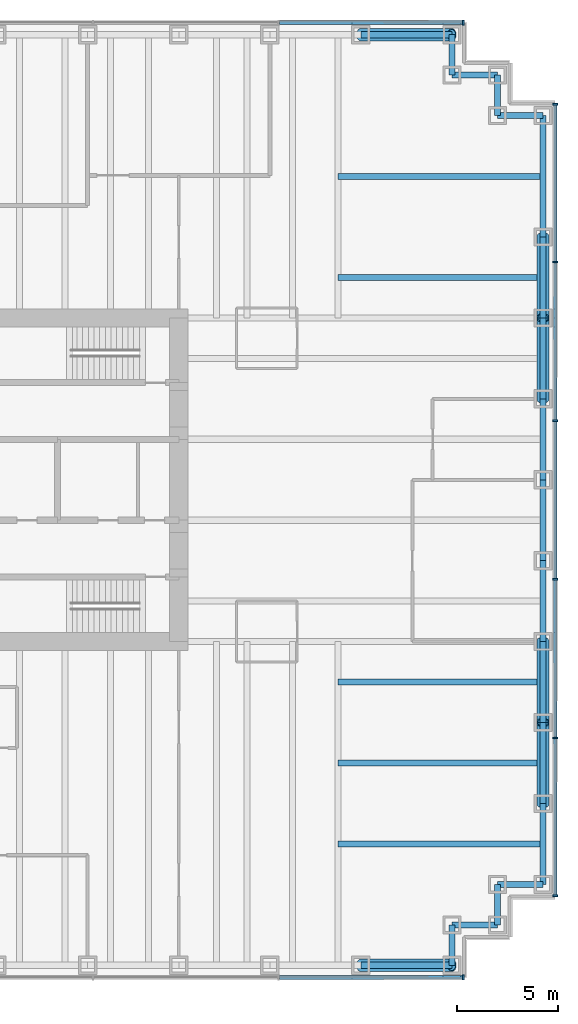
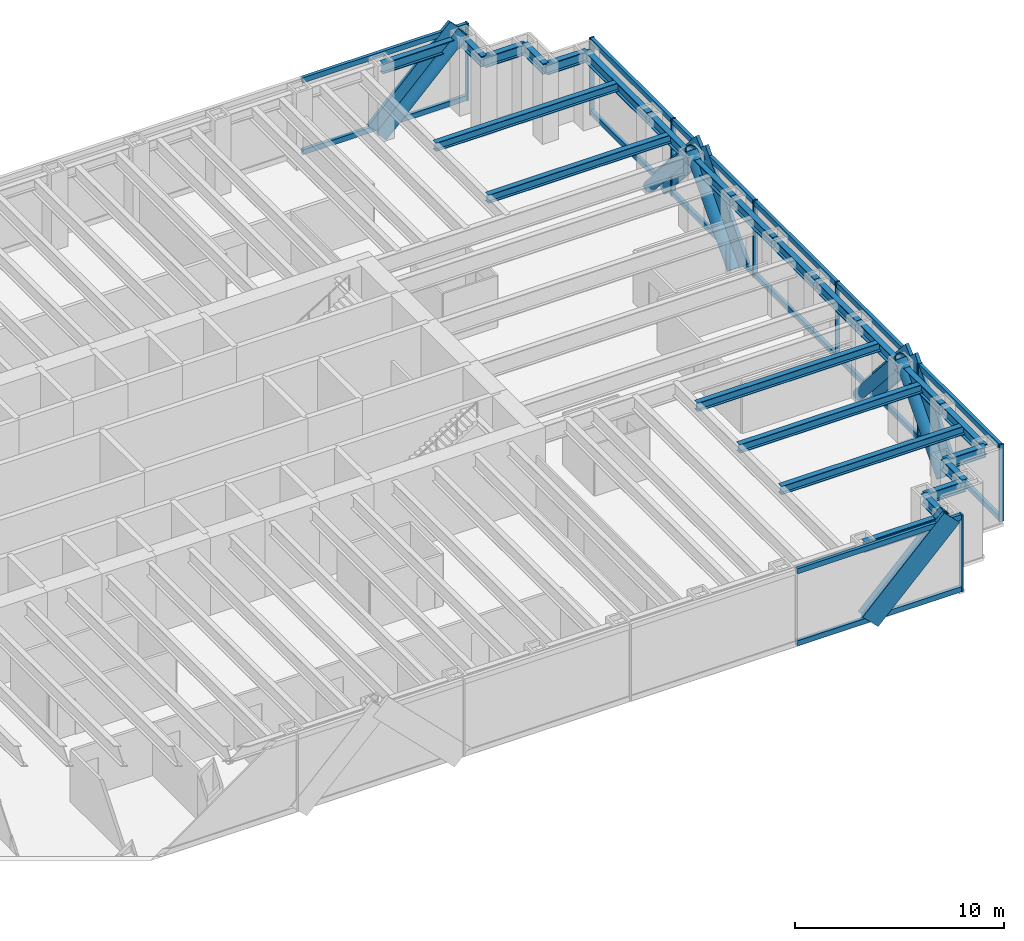
# One storey, part 7 of 13: 34 members, 24 beams, 3 elements without a shape of their own.
"""IFC4 building model written with IfcOpenShell, lengths in metres."""

from ifc_helpers import new_model, si_unit, direction, frame, origin, origin_2d, place, context, subcontext, project, spatial, rectangle, hollow_circle, i_section, extrude, material, material_profile, profile_set, type_object, element, aggregate, save


model = new_model("IFC4")

# Units and contexts
model_context = context("Model", 3, precision=1e-05, world=origin(), true_north=direction((0.0, 1.0)))
body_context = subcontext(model_context, "Body", "Model", "MODEL_VIEW")
ifc_project = project(units=[si_unit("LENGTHUNIT", "METRE"), si_unit("AREAUNIT", "SQUARE_METRE"), si_unit("VOLUMEUNIT", "CUBIC_METRE"), si_unit("PLANEANGLEUNIT", "RADIAN"), si_unit("MASSUNIT", "GRAM", prefix="KILO")], contexts=[model_context])

# Site, building, storey
site_placement = place(None, origin())
site = spatial("IfcSite", under=ifc_project, at=site_placement, CompositionType="ELEMENT")
building_placement = place(site_placement, origin())
building = spatial("IfcBuilding", under=site, at=building_placement, Name="Rheinbord Bourse Tower", CompositionType="ELEMENT")
storey_placement = place(building_placement, frame((0.0, 0.0, 27.5)))
storey = spatial("IfcBuildingStorey", under=building, at=storey_placement, Name="L05", CompositionType="ELEMENT", Elevation=27.5)

# Curtain wall, member
ifc_material_1 = material(Name="Dark glass and black aluminium", Category="aluminium")
curtain_wall_type = type_object("IfcCurtainWallType", Name="CW1 DARK GLASS CURTAIN WALL", PredefinedType="USERDEFINED", material=ifc_material_1)
curtain_wall_1_placement = place(storey_placement, origin())
curtain_wall_1 = element("IfcCurtainWall", 1, at=curtain_wall_1_placement, inside=storey, type_object=curtain_wall_type, Name="Curtain wall CW1 S L05", ObjectType="UNITISED CURTAIN WALL", PredefinedType="USERDEFINED")
ifc_material_2 = material(Name="Black anodised aluminium", Category="aluminium")
ifc_material_profile_1 = material_profile(ifc_material_2, rectangle(XDim=0.179931640625, YDim=1.2099609375, at=origin_2d()), Name="CW1 DIAGONAL MULLION 1210x180")
ifc_profile_set_1 = profile_set([ifc_material_profile_1], Name="Black anodised aluminium")
member_type_1 = type_object("IfcMemberType", Name="CW1 BLACK DIAGONAL MULLION", PredefinedType="USERDEFINED", material=ifc_profile_set_1)
member_1_placement = place(storey_placement, frame((63.0, -0.60009765625, 0.0), z_axis=(0.707106781187, 0.0, 0.707106781187), x_axis=(0.0, 1.0, 0.0)))
member_1 = element("IfcMember", 2, at=member_1_placement, type_object=member_type_1, Name="CW1 diagonal mullion c", ObjectType="DIAGONAL MULLION", PredefinedType="USERDEFINED", context=body_context, shape_type="SweptSolid", body=[
    extrude(rectangle(XDim=0.179931640625, YDim=1.2099609375, at=origin_2d()), origin(), (0.0, 0.0, 1.0), 6.364013671875),
])

# Curtain wall, members
curtain_wall_2_placement = place(storey_placement, origin())
curtain_wall_2 = element("IfcCurtainWall", 3, at=curtain_wall_2_placement, inside=storey, type_object=curtain_wall_type, Name="Curtain wall CW1 E L05", ObjectType="UNITISED CURTAIN WALL", PredefinedType="USERDEFINED")
member_2_placement = place(storey_placement, frame((72.60009765625, 28.0, 0.0), z_axis=(0.0, 0.66436383883, 0.747409318684), x_axis=(-1.0, 0.0, 0.0)))
member_2 = element("IfcMember", 4, at=member_2_placement, type_object=member_type_1, Name="CW1 diagonal mullion a", ObjectType="DIAGONAL MULLION", PredefinedType="USERDEFINED", context=body_context, shape_type="SweptSolid", body=[
    extrude(rectangle(XDim=0.179931640625, YDim=1.2099609375, at=origin_2d()), origin(), (0.0, 0.0, 1.0), 6.020751953125),
])
member_3_placement = place(storey_placement, frame((72.60009765625, 16.0, 0.0), z_axis=(0.0, -0.66436383883, 0.747409318684), x_axis=(1.0, 0.0, 0.0)))
member_3 = element("IfcMember", 5, at=member_3_placement, type_object=member_type_1, Name="CW1 diagonal mullion b", ObjectType="DIAGONAL MULLION", PredefinedType="USERDEFINED", context=body_context, shape_type="SweptSolid", body=[
    extrude(rectangle(XDim=0.179931640625, YDim=1.2099609375, at=origin_2d()), origin(), (0.0, 0.0, 1.0), 6.020751953125),
])
member_4_placement = place(storey_placement, frame((72.60009765625, 36.0, 0.0), z_axis=(0.0, -0.66436383883, 0.747409318684), x_axis=(1.0, 0.0, 0.0)))
member_4 = element("IfcMember", 6, at=member_4_placement, type_object=member_type_1, Name="CW1 diagonal mullion c", ObjectType="DIAGONAL MULLION", PredefinedType="USERDEFINED", context=body_context, shape_type="SweptSolid", body=[
    extrude(rectangle(XDim=0.179931640625, YDim=1.2099609375, at=origin_2d()), origin(), (0.0, 0.0, 1.0), 6.020751953125),
])
member_5_placement = place(storey_placement, frame((72.60009765625, 8.0, 0.0), z_axis=(0.0, 0.66436383883, 0.747409318684), x_axis=(-1.0, 0.0, 0.0)))
member_5 = element("IfcMember", 7, at=member_5_placement, type_object=member_type_1, Name="CW1 diagonal mullion d", ObjectType="DIAGONAL MULLION", PredefinedType="USERDEFINED", context=body_context, shape_type="SweptSolid", body=[
    extrude(rectangle(XDim=0.179931640625, YDim=1.2099609375, at=origin_2d()), origin(), (0.0, 0.0, 1.0), 6.020751953125),
])

# Curtain wall, member
curtain_wall_3_placement = place(storey_placement, origin())
curtain_wall_3 = element("IfcCurtainWall", 8, at=curtain_wall_3_placement, inside=storey, type_object=curtain_wall_type, Name="Curtain wall CW1 N L05", ObjectType="UNITISED CURTAIN WALL", PredefinedType="USERDEFINED")
member_6_placement = place(storey_placement, frame((63.0, 46.60009765625, 0.0), z_axis=(0.707106781187, 0.0, 0.707106781187), x_axis=(0.0, 1.0, 0.0)))
member_6 = element("IfcMember", 9, at=member_6_placement, type_object=member_type_1, Name="CW1 diagonal mullion c", ObjectType="DIAGONAL MULLION", PredefinedType="USERDEFINED", context=body_context, shape_type="SweptSolid", body=[
    extrude(rectangle(XDim=0.179931640625, YDim=1.2099609375, at=origin_2d()), origin(), (0.0, 0.0, 1.0), 6.364013671875),
])

# Member
ifc_material_3 = material(Name="Black anodised aluminium", Category="aluminium")
ifc_material_profile_2 = material_profile(ifc_material_3, rectangle(XDim=0.25, YDim=0.080078125, at=origin_2d()), Name="CW1 MULLION 80x250")
ifc_profile_set_2 = profile_set([ifc_material_profile_2], Name="Black anodised aluminium")
member_type_2 = type_object("IfcMemberType", Name="CW1 BLACK MULLION", PredefinedType="MULLION", material=ifc_profile_set_2)
member_7_placement = place(storey_placement, frame((68.06005859375, -0.60009765625, 0.0), z_axis=(0.0, 0.0, 1.0), x_axis=(0.0, 1.0, 0.0)))
member_7 = element("IfcMember", 10, at=member_7_placement, type_object=member_type_2, Name="CW1 mullion 8", PredefinedType="MULLION", context=body_context, shape_type="SweptSolid", body=[
    extrude(rectangle(XDim=0.25, YDim=0.080078125, at=origin_2d()), origin(), (0.0, 0.0, 1.0), 4.5),
])

member_8_placement = place(storey_placement, frame((72.60009765625, 3.43994140625, 0.0), z_axis=(0.0, 0.0, 1.0), x_axis=(-1.0, 0.0, 0.0)))
member_8 = element("IfcMember", 11, at=member_8_placement, type_object=member_type_2, Name="CW1 mullion 1", PredefinedType="MULLION", context=body_context, shape_type="SweptSolid", body=[
    extrude(rectangle(XDim=0.25, YDim=0.080078125, at=origin_2d()), origin(), (0.0, 0.0, 1.0), 4.5),
])

member_9_placement = place(storey_placement, frame((72.60009765625, 11.239990234375, 0.0), z_axis=(0.0, 0.0, 1.0), x_axis=(-1.0, 0.0, 0.0)))
member_9 = element("IfcMember", 12, at=member_9_placement, type_object=member_type_2, Name="CW1 mullion 2", PredefinedType="MULLION", context=body_context, shape_type="SweptSolid", body=[
    extrude(rectangle(XDim=0.25, YDim=0.080078125, at=origin_2d()), origin(), (0.0, 0.0, 1.0), 4.5),
])

member_10_placement = place(storey_placement, frame((72.60009765625, 19.080078125, 0.0), z_axis=(0.0, 0.0, 1.0), x_axis=(-1.0, 0.0, 0.0)))
member_10 = element("IfcMember", 13, at=member_10_placement, type_object=member_type_2, Name="CW1 mullion 3", PredefinedType="MULLION", context=body_context, shape_type="SweptSolid", body=[
    extrude(rectangle(XDim=0.25, YDim=0.080078125, at=origin_2d()), origin(), (0.0, 0.0, 1.0), 4.5),
])

member_11_placement = place(storey_placement, frame((72.60009765625, 26.919921875, 0.0), z_axis=(0.0, 0.0, 1.0), x_axis=(-1.0, 0.0, 0.0)))
member_11 = element("IfcMember", 14, at=member_11_placement, type_object=member_type_2, Name="CW1 mullion 4", PredefinedType="MULLION", context=body_context, shape_type="SweptSolid", body=[
    extrude(rectangle(XDim=0.25, YDim=0.080078125, at=origin_2d()), origin(), (0.0, 0.0, 1.0), 4.5),
])

member_12_placement = place(storey_placement, frame((72.60009765625, 34.760009765625, 0.0), z_axis=(0.0, 0.0, 1.0), x_axis=(-1.0, 0.0, 0.0)))
member_12 = element("IfcMember", 15, at=member_12_placement, type_object=member_type_2, Name="CW1 mullion 5", PredefinedType="MULLION", context=body_context, shape_type="SweptSolid", body=[
    extrude(rectangle(XDim=0.25, YDim=0.080078125, at=origin_2d()), origin(), (0.0, 0.0, 1.0), 4.5),
])

member_13_placement = place(storey_placement, frame((72.60009765625, 42.56005859375, 0.0), z_axis=(0.0, 0.0, 1.0), x_axis=(-1.0, 0.0, 0.0)))
member_13 = element("IfcMember", 16, at=member_13_placement, type_object=member_type_2, Name="CW1 mullion 6", PredefinedType="MULLION", context=body_context, shape_type="SweptSolid", body=[
    extrude(rectangle(XDim=0.25, YDim=0.080078125, at=origin_2d()), origin(), (0.0, 0.0, 1.0), 4.5),
])

member_14_placement = place(storey_placement, frame((68.06005859375, 46.60009765625, 0.0), z_axis=(0.0, 0.0, 1.0), x_axis=(0.0, -1.0, 0.0)))
member_14 = element("IfcMember", 17, at=member_14_placement, type_object=member_type_2, Name="CW1 mullion 1", PredefinedType="MULLION", context=body_context, shape_type="SweptSolid", body=[
    extrude(rectangle(XDim=0.25, YDim=0.080078125, at=origin_2d()), origin(), (0.0, 0.0, 1.0), 4.5),
])

ifc_material_4 = material(Name="Black anodised aluminium", Category="aluminium")
ifc_material_profile_3 = material_profile(ifc_material_4, rectangle(XDim=0.179931640625, YDim=0.300048828125, at=origin_2d()), Name="CW1 TRANSOM 300x180")
ifc_profile_set_3 = profile_set([ifc_material_profile_3], Name="Black anodised aluminium")
member_type_3 = type_object("IfcMemberType", Name="CW1 BLACK TRANSOM", PredefinedType="USERDEFINED", material=ifc_profile_set_3)
member_15_placement = place(storey_placement, frame((58.968505859375, -0.60009765625, 0.14990234375), z_axis=(1.0, 0.0, 0.0), x_axis=(0.0, 1.0, 0.0)))
member_15 = element("IfcMember", 18, at=member_15_placement, type_object=member_type_3, Name="CW1 transom 7.1", ObjectType="TRANSOM", PredefinedType="USERDEFINED", context=body_context, shape_type="SweptSolid", body=[
    extrude(rectangle(XDim=0.179931640625, YDim=0.300048828125, at=origin_2d()), origin(), (0.0, 0.0, 1.0), 9.051513671875),
])

member_16_placement = place(storey_placement, frame((58.968505859375, -0.60009765625, 4.35009765625), z_axis=(1.0, 0.0, 0.0), x_axis=(0.0, 1.0, 0.0)))
member_16 = element("IfcMember", 19, at=member_16_placement, type_object=member_type_3, Name="CW1 transom 7.2", ObjectType="TRANSOM", PredefinedType="USERDEFINED", context=body_context, shape_type="SweptSolid", body=[
    extrude(rectangle(XDim=0.179931640625, YDim=0.300048828125, at=origin_2d()), origin(), (0.0, 0.0, 1.0), 9.051513671875),
])

aggregate(curtain_wall_1, [member_7, member_15, member_16, member_1])

member_17_placement = place(storey_placement, frame((72.60009765625, 3.47998046875, 0.14990234375), z_axis=(0.0, 1.0, 0.0), x_axis=(-1.0, 0.0, 0.0)))
member_17 = element("IfcMember", 20, at=member_17_placement, type_object=member_type_3, Name="CW1 transom 1.1", ObjectType="TRANSOM", PredefinedType="USERDEFINED", context=body_context, shape_type="SweptSolid", body=[
    extrude(rectangle(XDim=0.179931640625, YDim=0.300048828125, at=origin_2d()), origin(), (0.0, 0.0, 1.0), 7.719970703125),
])

member_18_placement = place(storey_placement, frame((72.60009765625, 3.47998046875, 4.35009765625), z_axis=(0.0, 1.0, 0.0), x_axis=(-1.0, 0.0, 0.0)))
member_18 = element("IfcMember", 21, at=member_18_placement, type_object=member_type_3, Name="CW1 transom 1.2", ObjectType="TRANSOM", PredefinedType="USERDEFINED", context=body_context, shape_type="SweptSolid", body=[
    extrude(rectangle(XDim=0.179931640625, YDim=0.300048828125, at=origin_2d()), origin(), (0.0, 0.0, 1.0), 7.719970703125),
])

member_19_placement = place(storey_placement, frame((72.60009765625, 11.280029296875, 0.14990234375), z_axis=(0.0, 1.0, 0.0), x_axis=(-1.0, 0.0, 0.0)))
member_19 = element("IfcMember", 22, at=member_19_placement, type_object=member_type_3, Name="CW1 transom 2.1", ObjectType="TRANSOM", PredefinedType="USERDEFINED", context=body_context, shape_type="SweptSolid", body=[
    extrude(rectangle(XDim=0.179931640625, YDim=0.300048828125, at=origin_2d()), origin(), (0.0, 0.0, 1.0), 7.760009765625),
])

member_20_placement = place(storey_placement, frame((72.60009765625, 11.280029296875, 4.35009765625), z_axis=(0.0, 1.0, 0.0), x_axis=(-1.0, 0.0, 0.0)))
member_20 = element("IfcMember", 23, at=member_20_placement, type_object=member_type_3, Name="CW1 transom 2.2", ObjectType="TRANSOM", PredefinedType="USERDEFINED", context=body_context, shape_type="SweptSolid", body=[
    extrude(rectangle(XDim=0.179931640625, YDim=0.300048828125, at=origin_2d()), origin(), (0.0, 0.0, 1.0), 7.760009765625),
])

member_21_placement = place(storey_placement, frame((72.60009765625, 19.1201171875, 0.14990234375), z_axis=(0.0, 1.0, 0.0), x_axis=(-1.0, 0.0, 0.0)))
member_21 = element("IfcMember", 24, at=member_21_placement, type_object=member_type_3, Name="CW1 transom 3.1", ObjectType="TRANSOM", PredefinedType="USERDEFINED", context=body_context, shape_type="SweptSolid", body=[
    extrude(rectangle(XDim=0.179931640625, YDim=0.300048828125, at=origin_2d()), origin(), (0.0, 0.0, 1.0), 7.759765625),
])

member_22_placement = place(storey_placement, frame((72.60009765625, 19.1201171875, 4.35009765625), z_axis=(0.0, 1.0, 0.0), x_axis=(-1.0, 0.0, 0.0)))
member_22 = element("IfcMember", 25, at=member_22_placement, type_object=member_type_3, Name="CW1 transom 3.2", ObjectType="TRANSOM", PredefinedType="USERDEFINED", context=body_context, shape_type="SweptSolid", body=[
    extrude(rectangle(XDim=0.179931640625, YDim=0.300048828125, at=origin_2d()), origin(), (0.0, 0.0, 1.0), 7.759765625),
])

member_23_placement = place(storey_placement, frame((72.60009765625, 26.9599609375, 0.14990234375), z_axis=(0.0, 1.0, 0.0), x_axis=(-1.0, 0.0, 0.0)))
member_23 = element("IfcMember", 26, at=member_23_placement, type_object=member_type_3, Name="CW1 transom 4.1", ObjectType="TRANSOM", PredefinedType="USERDEFINED", context=body_context, shape_type="SweptSolid", body=[
    extrude(rectangle(XDim=0.179931640625, YDim=0.300048828125, at=origin_2d()), origin(), (0.0, 0.0, 1.0), 7.760009765625),
])

member_24_placement = place(storey_placement, frame((72.60009765625, 26.9599609375, 4.35009765625), z_axis=(0.0, 1.0, 0.0), x_axis=(-1.0, 0.0, 0.0)))
member_24 = element("IfcMember", 27, at=member_24_placement, type_object=member_type_3, Name="CW1 transom 4.2", ObjectType="TRANSOM", PredefinedType="USERDEFINED", context=body_context, shape_type="SweptSolid", body=[
    extrude(rectangle(XDim=0.179931640625, YDim=0.300048828125, at=origin_2d()), origin(), (0.0, 0.0, 1.0), 7.760009765625),
])

member_25_placement = place(storey_placement, frame((72.60009765625, 34.800048828125, 0.14990234375), z_axis=(0.0, 1.0, 0.0), x_axis=(-1.0, 0.0, 0.0)))
member_25 = element("IfcMember", 28, at=member_25_placement, type_object=member_type_3, Name="CW1 transom 5.1", ObjectType="TRANSOM", PredefinedType="USERDEFINED", context=body_context, shape_type="SweptSolid", body=[
    extrude(rectangle(XDim=0.179931640625, YDim=0.300048828125, at=origin_2d()), origin(), (0.0, 0.0, 1.0), 7.719970703125),
])

member_26_placement = place(storey_placement, frame((72.60009765625, 34.800048828125, 4.35009765625), z_axis=(0.0, 1.0, 0.0), x_axis=(-1.0, 0.0, 0.0)))
member_26 = element("IfcMember", 29, at=member_26_placement, type_object=member_type_3, Name="CW1 transom 5.2", ObjectType="TRANSOM", PredefinedType="USERDEFINED", context=body_context, shape_type="SweptSolid", body=[
    extrude(rectangle(XDim=0.179931640625, YDim=0.300048828125, at=origin_2d()), origin(), (0.0, 0.0, 1.0), 7.719970703125),
])

aggregate(curtain_wall_2, [member_8, member_9, member_10, member_11, member_12, member_13, member_17, member_18, member_19, member_20, member_21, member_22, member_23, member_24, member_25, member_26, member_2, member_3, member_4, member_5])

member_27_placement = place(storey_placement, frame((68.02001953125, 46.60009765625, 0.14990234375), z_axis=(-1.0, 0.0, 0.0), x_axis=(0.0, -1.0, 0.0)))
member_27 = element("IfcMember", 30, at=member_27_placement, type_object=member_type_3, Name="CW1 transom 1.1", ObjectType="TRANSOM", PredefinedType="USERDEFINED", context=body_context, shape_type="SweptSolid", body=[
    extrude(rectangle(XDim=0.179931640625, YDim=0.300048828125, at=origin_2d()), origin(), (0.0, 0.0, 1.0), 9.051513671875),
])

member_28_placement = place(storey_placement, frame((68.02001953125, 46.60009765625, 4.35009765625), z_axis=(-1.0, 0.0, 0.0), x_axis=(0.0, -1.0, 0.0)))
member_28 = element("IfcMember", 31, at=member_28_placement, type_object=member_type_3, Name="CW1 transom 1.2", ObjectType="TRANSOM", PredefinedType="USERDEFINED", context=body_context, shape_type="SweptSolid", body=[
    extrude(rectangle(XDim=0.179931640625, YDim=0.300048828125, at=origin_2d()), origin(), (0.0, 0.0, 1.0), 9.051513671875),
])

aggregate(curtain_wall_3, [member_14, member_27, member_28, member_6])

# Members
ifc_material_5 = material(Name="Steel S460", Category="steel")
ifc_material_profile_4 = material_profile(ifc_material_5, hollow_circle(Radius=0.304931640625, WallThickness=0.050048828125, at=origin_2d()), Name="CHS 610x50")
ifc_profile_set_4 = profile_set([ifc_material_profile_4], Name="Steel S460")
member_type_4 = type_object("IfcMemberType", Name="MEGABRACE CHS 610x50", PredefinedType="BRACE", material=ifc_profile_set_4)
member_29_placement = place(storey_placement, frame((63.0, 0.0, 0.0), z_axis=(0.707106781187, 0.0, 0.707106781187), x_axis=(0.0, 1.0, 0.0)))
element("IfcMember", 32, at=member_29_placement, inside=storey, type_object=member_type_4, Name="Megabrace S face line c L05", PredefinedType="BRACE", context=body_context, shape_type="SweptSolid", body=[
    extrude(hollow_circle(Radius=0.304931640625, WallThickness=0.050048828125, at=origin_2d()), origin(), (0.0, 0.0, 1.0), 6.364013671875),
])
for number, where, z_axis, x_axis, name in (
    (33, (72.0, 28.0, 0.0), (0.0, 0.66436383883, 0.747409318684), (-1.0, 0.0, 0.0), "Megabrace E face line a L05"),
    (34, (72.0, 16.0, 0.0), (0.0, -0.66436383883, 0.747409318684), (1.0, 0.0, 0.0), "Megabrace E face line b L05"),
    (35, (72.0, 36.0, 0.0), (0.0, -0.66436383883, 0.747409318684), (1.0, 0.0, 0.0), "Megabrace E face line c L05"),
    (36, (72.0, 8.0, 0.0), (0.0, 0.66436383883, 0.747409318684), (-1.0, 0.0, 0.0), "Megabrace E face line d L05"),
):
    element("IfcMember", number, at=place(storey_placement, frame(where, z_axis=z_axis, x_axis=x_axis)), inside=storey, type_object=member_type_4, Name=name, PredefinedType="BRACE", context=body_context, shape_type="SweptSolid", body=[
        extrude(hollow_circle(Radius=0.304931640625, WallThickness=0.050048828125, at=origin_2d()), origin(), (0.0, 0.0, 1.0), 6.020751953125),
    ])
member_30_placement = place(storey_placement, frame((63.0, 46.0, 0.0), z_axis=(0.707106781187, 0.0, 0.707106781187), x_axis=(0.0, 1.0, 0.0)))
element("IfcMember", 37, at=member_30_placement, inside=storey, type_object=member_type_4, Name="Megabrace N face line c L05", PredefinedType="BRACE", context=body_context, shape_type="SweptSolid", body=[
    extrude(hollow_circle(Radius=0.304931640625, WallThickness=0.050048828125, at=origin_2d()), origin(), (0.0, 0.0, 1.0), 6.364013671875),
])

# Beams
ifc_material_6 = material(Name="Steel S460", Category="steel")
ifc_material_profile_5 = material_profile(ifc_material_6, i_section(OverallWidth=0.304931640625, OverallDepth=0.6201171875, WebThickness=0.02099609375, FlangeThickness=0.0400390625, at=origin_2d()), Name="HEM 600")
ifc_profile_set_5 = profile_set([ifc_material_profile_5], Name="Steel S460")
beam_type_1 = type_object("IfcBeamType", Name="SPANDREL HEM 600", PredefinedType="SPANDREL", material=ifc_profile_set_5)
beam_1_placement = place(storey_placement, frame((63.0, 0.0, 4.010009765625), z_axis=(1.0, 0.0, 0.0), x_axis=(0.0, 1.0, 0.0)))
element("IfcBeam", 38, at=beam_1_placement, inside=storey, type_object=beam_type_1, Name="Spandrel S-63-SE-E under L06", PredefinedType="SPANDREL", context=body_context, shape_type="SweptSolid", body=[
    extrude(i_section(OverallWidth=0.304931640625, OverallDepth=0.6201171875, WebThickness=0.02099609375, FlangeThickness=0.0400390625, at=origin_2d()), origin(), (0.0, 0.0, 1.0), 4.5),
])
beam_2_placement = place(storey_placement, frame((67.5, 0.0, 4.010009765625), z_axis=(0.0, 1.0, 0.0), x_axis=(-1.0, 0.0, 0.0)))
element("IfcBeam", 39, at=beam_2_placement, inside=storey, type_object=beam_type_1, Name="Spandrel SE-E-SE-D under L06", PredefinedType="SPANDREL", context=body_context, shape_type="SweptSolid", body=[
    extrude(i_section(OverallWidth=0.304931640625, OverallDepth=0.6201171875, WebThickness=0.02099609375, FlangeThickness=0.0400390625, at=origin_2d()), origin(), (0.0, 0.0, 1.0), 2.0),
])
beam_3_placement = place(storey_placement, frame((67.5, 2.0, 4.010009765625), z_axis=(1.0, 0.0, 0.0), x_axis=(0.0, 1.0, 0.0)))
element("IfcBeam", 40, at=beam_3_placement, inside=storey, type_object=beam_type_1, Name="Spandrel SE-D-SE-C under L06", PredefinedType="SPANDREL", context=body_context, shape_type="SweptSolid", body=[
    extrude(i_section(OverallWidth=0.304931640625, OverallDepth=0.6201171875, WebThickness=0.02099609375, FlangeThickness=0.0400390625, at=origin_2d()), origin(), (0.0, 0.0, 1.0), 2.25),
])
beam_4_placement = place(storey_placement, frame((69.75, 2.0, 4.010009765625), z_axis=(0.0, 1.0, 0.0), x_axis=(-1.0, 0.0, 0.0)))
element("IfcBeam", 41, at=beam_4_placement, inside=storey, type_object=beam_type_1, Name="Spandrel SE-C-SE-B under L06", PredefinedType="SPANDREL", context=body_context, shape_type="SweptSolid", body=[
    extrude(i_section(OverallWidth=0.304931640625, OverallDepth=0.6201171875, WebThickness=0.02099609375, FlangeThickness=0.0400390625, at=origin_2d()), origin(), (0.0, 0.0, 1.0), 2.0),
])
beam_5_placement = place(storey_placement, frame((69.75, 4.0, 4.010009765625), z_axis=(1.0, 0.0, 0.0), x_axis=(0.0, 1.0, 0.0)))
element("IfcBeam", 42, at=beam_5_placement, inside=storey, type_object=beam_type_1, Name="Spandrel SE-B-SE-A under L06", PredefinedType="SPANDREL", context=body_context, shape_type="SweptSolid", body=[
    extrude(i_section(OverallWidth=0.304931640625, OverallDepth=0.6201171875, WebThickness=0.02099609375, FlangeThickness=0.0400390625, at=origin_2d()), origin(), (0.0, 0.0, 1.0), 2.25),
])
for number, where, z_axis, x_axis, name in (
    (43, (72.0, 4.0, 4.010009765625), (0.0, 1.0, 0.0), (-1.0, 0.0, 0.0), "Spandrel SE-A-E-8 under L06"),
    (44, (72.0, 8.0, 4.010009765625), (0.0, 1.0, 0.0), (-1.0, 0.0, 0.0), "Spandrel E-8-E-12 under L06"),
    (45, (72.0, 12.0, 4.010009765625), (0.0, 1.0, 0.0), (-1.0, 0.0, 0.0), "Spandrel E-12-E-16 under L06"),
    (46, (72.0, 16.0, 4.010009765625), (0.0, 1.0, 0.0), (-1.0, 0.0, 0.0), "Spandrel E-16-E-20 under L06"),
    (47, (72.0, 20.0, 4.010009765625), (0.0, 1.0, 0.0), (-1.0, 0.0, 0.0), "Spandrel E-20-E-24 under L06"),
    (48, (72.0, 24.0, 4.010009765625), (0.0, 1.0, 0.0), (-1.0, 0.0, 0.0), "Spandrel E-24-E-28 under L06"),
    (49, (72.0, 28.0, 4.010009765625), (0.0, 1.0, 0.0), (-1.0, 0.0, 0.0), "Spandrel E-28-E-32 under L06"),
    (50, (72.0, 32.0, 4.010009765625), (0.0, 1.0, 0.0), (-1.0, 0.0, 0.0), "Spandrel E-32-E-36 under L06"),
):
    element("IfcBeam", number, at=place(storey_placement, frame(where, z_axis=z_axis, x_axis=x_axis)), inside=storey, type_object=beam_type_1, Name=name, PredefinedType="SPANDREL", context=body_context, shape_type="SweptSolid", body=[
        extrude(i_section(OverallWidth=0.304931640625, OverallDepth=0.6201171875, WebThickness=0.02099609375, FlangeThickness=0.0400390625, at=origin_2d()), origin(), (0.0, 0.0, 1.0), 4.0),
    ])
beam_6_placement = place(storey_placement, frame((72.0, 36.0, 4.010009765625), z_axis=(0.0, 1.0, 0.0), x_axis=(-1.0, 0.0, 0.0)))
element("IfcBeam", 51, at=beam_6_placement, inside=storey, type_object=beam_type_1, Name="Spandrel E-36-NE-A under L06", PredefinedType="SPANDREL", context=body_context, shape_type="SweptSolid", body=[
    extrude(i_section(OverallWidth=0.304931640625, OverallDepth=0.6201171875, WebThickness=0.02099609375, FlangeThickness=0.0400390625, at=origin_2d()), origin(), (0.0, 0.0, 1.0), 6.0),
])
beam_7_placement = place(storey_placement, frame((72.0, 42.0, 4.010009765625), z_axis=(-1.0, 0.0, 0.0), x_axis=(0.0, -1.0, 0.0)))
element("IfcBeam", 52, at=beam_7_placement, inside=storey, type_object=beam_type_1, Name="Spandrel NE-A-NE-B under L06", PredefinedType="SPANDREL", context=body_context, shape_type="SweptSolid", body=[
    extrude(i_section(OverallWidth=0.304931640625, OverallDepth=0.6201171875, WebThickness=0.02099609375, FlangeThickness=0.0400390625, at=origin_2d()), origin(), (0.0, 0.0, 1.0), 2.25),
])
beam_8_placement = place(storey_placement, frame((69.75, 42.0, 4.010009765625), z_axis=(0.0, 1.0, 0.0), x_axis=(-1.0, 0.0, 0.0)))
element("IfcBeam", 53, at=beam_8_placement, inside=storey, type_object=beam_type_1, Name="Spandrel NE-B-NE-C under L06", PredefinedType="SPANDREL", context=body_context, shape_type="SweptSolid", body=[
    extrude(i_section(OverallWidth=0.304931640625, OverallDepth=0.6201171875, WebThickness=0.02099609375, FlangeThickness=0.0400390625, at=origin_2d()), origin(), (0.0, 0.0, 1.0), 2.0),
])
beam_9_placement = place(storey_placement, frame((69.75, 44.0, 4.010009765625), z_axis=(-1.0, 0.0, 0.0), x_axis=(0.0, -1.0, 0.0)))
element("IfcBeam", 54, at=beam_9_placement, inside=storey, type_object=beam_type_1, Name="Spandrel NE-C-NE-D under L06", PredefinedType="SPANDREL", context=body_context, shape_type="SweptSolid", body=[
    extrude(i_section(OverallWidth=0.304931640625, OverallDepth=0.6201171875, WebThickness=0.02099609375, FlangeThickness=0.0400390625, at=origin_2d()), origin(), (0.0, 0.0, 1.0), 2.25),
])
beam_10_placement = place(storey_placement, frame((67.5, 44.0, 4.010009765625), z_axis=(0.0, 1.0, 0.0), x_axis=(-1.0, 0.0, 0.0)))
element("IfcBeam", 55, at=beam_10_placement, inside=storey, type_object=beam_type_1, Name="Spandrel NE-D-NE-E under L06", PredefinedType="SPANDREL", context=body_context, shape_type="SweptSolid", body=[
    extrude(i_section(OverallWidth=0.304931640625, OverallDepth=0.6201171875, WebThickness=0.02099609375, FlangeThickness=0.0400390625, at=origin_2d()), origin(), (0.0, 0.0, 1.0), 2.0),
])
beam_11_placement = place(storey_placement, frame((67.5, 46.0, 4.010009765625), z_axis=(-1.0, 0.0, 0.0), x_axis=(0.0, -1.0, 0.0)))
element("IfcBeam", 56, at=beam_11_placement, inside=storey, type_object=beam_type_1, Name="Spandrel NE-E-N-63 under L06", PredefinedType="SPANDREL", context=body_context, shape_type="SweptSolid", body=[
    extrude(i_section(OverallWidth=0.304931640625, OverallDepth=0.6201171875, WebThickness=0.02099609375, FlangeThickness=0.0400390625, at=origin_2d()), origin(), (0.0, 0.0, 1.0), 4.5),
])
ifc_material_7 = material(Name="Steel S460", Category="steel")
ifc_material_profile_6 = material_profile(ifc_material_7, i_section(OverallWidth=0.300048828125, OverallDepth=0.5, WebThickness=0.014404296875, FlangeThickness=0.028076171875, at=origin_2d()), Name="HEB 500")
ifc_profile_set_6 = profile_set([ifc_material_profile_6], Name="Steel S460")
beam_type_2 = type_object("IfcBeamType", Name="TIE BEAM HEB 500", PredefinedType="JOIST", material=ifc_profile_set_6)
for number, where, z_axis, x_axis, name in (
    (57, (61.875, 6.0, 4.070068359375), (1.0, 0.0, 0.0), (0.0, 1.0, 0.0), "Tie east 6 L06"),
    (58, (61.875, 10.0, 4.070068359375), (1.0, 0.0, 0.0), (0.0, 1.0, 0.0), "Tie east 10 L06"),
    (59, (61.875, 14.0, 4.070068359375), (1.0, 0.0, 0.0), (0.0, 1.0, 0.0), "Tie east 14 L06"),
    (60, (61.875, 34.0, 4.070068359375), (1.0, 0.0, 0.0), (0.0, 1.0, 0.0), "Tie east 34 L06"),
    (61, (61.875, 39.0, 4.070068359375), (1.0, 0.0, 0.0), (0.0, 1.0, 0.0), "Tie east 39 L06"),
):
    element("IfcBeam", number, at=place(storey_placement, frame(where, z_axis=z_axis, x_axis=x_axis)), inside=storey, type_object=beam_type_2, Name=name, PredefinedType="JOIST", context=body_context, shape_type="SweptSolid", body=[
        extrude(i_section(OverallWidth=0.300048828125, OverallDepth=0.5, WebThickness=0.014404296875, FlangeThickness=0.028076171875, at=origin_2d()), origin(), (0.0, 0.0, 1.0), 10.125),
    ])

save(model, "model.ifc")
